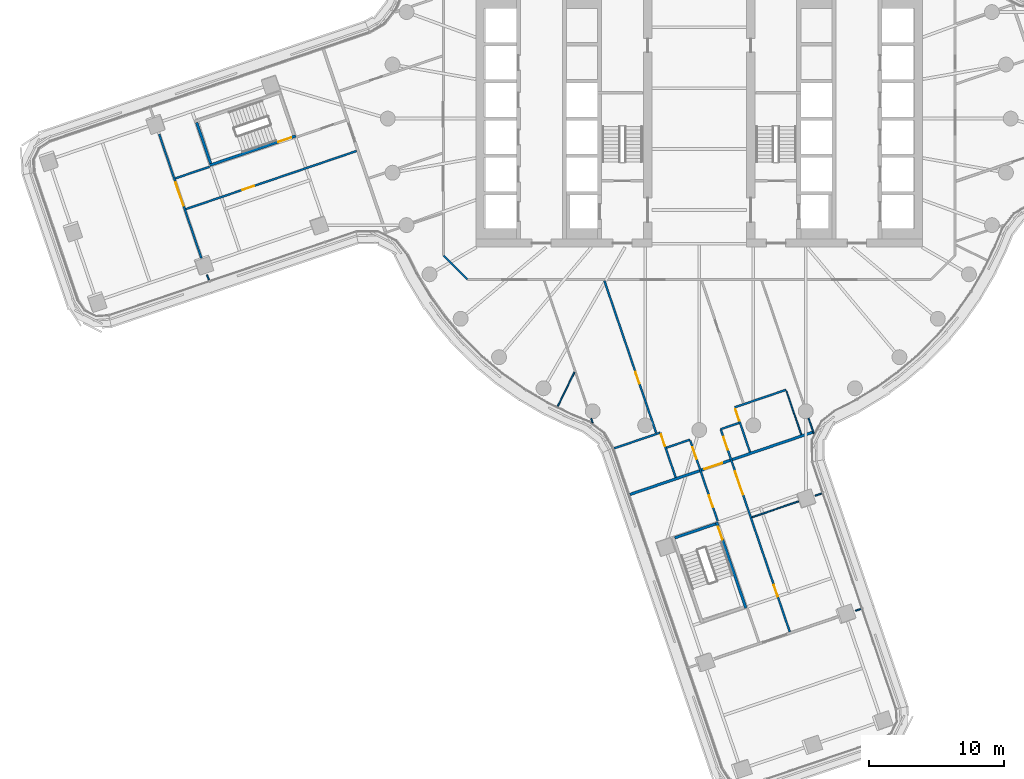
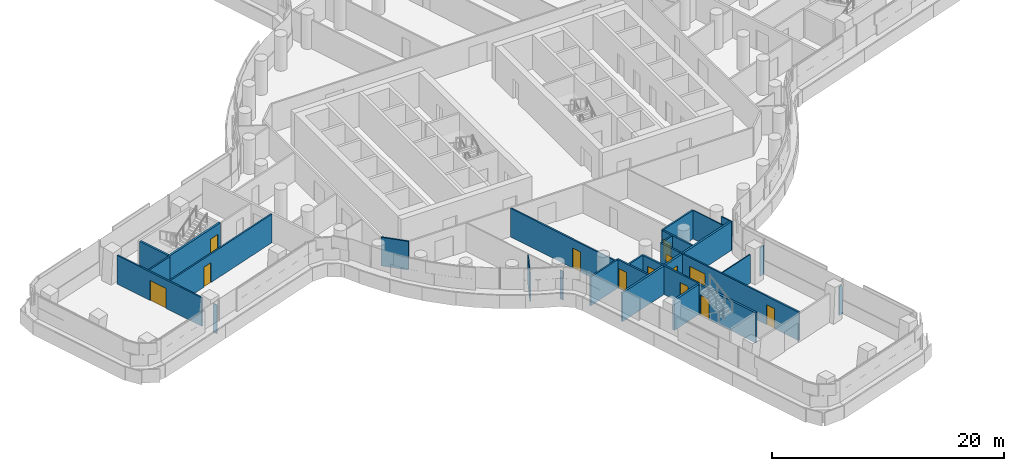
# One storey, part 17 of 29: 26 walls, 13 doors, 13 openings.
"""IFC4 building model written with IfcOpenShell, lengths in metres."""

from ifc_helpers import new_model, si_unit, direction, frame, frame_2d, origin, place, context, subcontext, project, spatial, polyline, rectangle, outline, extrude, material, layer, layer_set, type_object, element, fill, save


model = new_model("IFC4")

# Units and contexts
model_context = context("Model", 3, precision=1e-05, world=origin(), true_north=direction((0.0, 1.0)))
body_context = subcontext(model_context, "Body", "Model", "MODEL_VIEW")
ifc_project = project(units=[si_unit("LENGTHUNIT", "METRE"), si_unit("AREAUNIT", "SQUARE_METRE"), si_unit("VOLUMEUNIT", "CUBIC_METRE"), si_unit("PLANEANGLEUNIT", "RADIAN"), si_unit("MASSUNIT", "GRAM", prefix="KILO")], contexts=[model_context])

# Site, building, storey
site_placement = place(None, origin())
site = spatial("IfcSite", under=ifc_project, at=site_placement, CompositionType="ELEMENT")
building_placement = place(site_placement, origin())
building = spatial("IfcBuilding", under=site, at=building_placement, Name="Tamarind Cross Interchange Tower", CompositionType="ELEMENT")
storey_placement = place(building_placement, frame((0.0, 0.0, 102.25)))
storey = spatial("IfcBuildingStorey", under=building, at=storey_placement, Name="L24", CompositionType="ELEMENT", Elevation=102.25)

# Walls
ifc_material_1 = material(Name="Gypsum board partition on steel studs", Category="steel")
ifc_layer_1 = layer(ifc_material_1, 0.10009765625)
ifc_layer_set_1 = layer_set([ifc_layer_1], Name="Gypsum board partition on steel studs")
wall_type_1 = type_object("IfcWallType", Name="Partition 100 mm EI 90", PredefinedType="PARTITIONING", material=ifc_layer_set_1)
wall_1_placement = place(storey_placement, frame((-36.3447265625, -11.54296875, 0.0), z_axis=(0.0, 0.0, 1.0), x_axis=(0.322320807151, -0.946630496697, 0.0)))
element("IfcWall", 1, at=wall_1_placement, inside=storey, type_object=wall_type_1, Name="Partition L24-003", PredefinedType="PARTITIONING", context=body_context, shape_type="SweptSolid", body=[
    extrude(rectangle(XDim=0.408203125, YDim=0.10009765625, at=frame_2d((0.2041015625, 0.0))), origin(), (0.0, 0.0, 1.0), 3.010009765625),
])
wall_2_placement = place(storey_placement, frame((-7.9794921875, -22.142578125, 0.0), z_axis=(0.0, 0.0, 1.0), x_axis=(0.322833185495, -0.946455880822, 0.0)))
element("IfcWall", 2, at=wall_2_placement, inside=storey, type_object=wall_type_1, Name="Partition L24-006", PredefinedType="PARTITIONING", context=body_context, shape_type="SweptSolid", body=[
    extrude(rectangle(XDim=0.34326171875, YDim=0.10009765625, at=frame_2d((0.171630859375, 0.0))), origin(), (0.0, 0.0, 1.0), 3.010009765625),
])
wall_3_placement = place(storey_placement, frame((8.06884765625, -22.11865234375, 0.0), z_axis=(0.0, 0.0, 1.0), x_axis=(0.322430157515, -0.946593256644, 0.0)))
element("IfcWall", 3, at=wall_3_placement, inside=storey, type_object=wall_type_1, Name="Partition L24-023", PredefinedType="PARTITIONING", context=body_context, shape_type="SweptSolid", body=[
    extrude(rectangle(XDim=1.203125, YDim=0.10009765625, at=frame_2d((0.6015625, 0.0))), origin(), (0.0, 0.0, 1.0), 3.010009765625),
])
wall_4_placement = place(storey_placement, frame((6.43115234375, -20.10009765625, 0.0), z_axis=(0.0, 0.0, 1.0), x_axis=(0.322273311912, -0.946646667152, 0.0)))
element("IfcWall", 4, at=wall_4_placement, inside=storey, type_object=wall_type_1, Name="Partition L24-024", PredefinedType="PARTITIONING", context=body_context, shape_type="SweptSolid", body=[
    extrude(rectangle(XDim=3.4248046875, YDim=0.10009765625, at=frame_2d((1.71240234375, 0.0))), origin(), (0.0, 0.0, 1.0), 3.010009765625),
])
wall_5_placement = place(storey_placement, frame((11.54296875, -36.3447265625, 0.0), z_axis=(0.0, 0.0, 1.0), x_axis=(0.946630496697, 0.322320807151, 0.0)))
element("IfcWall", 5, at=wall_5_placement, inside=storey, type_object=wall_type_1, Name="Partition L24-064", PredefinedType="PARTITIONING", context=body_context, shape_type="SweptSolid", body=[
    extrude(rectangle(XDim=0.408203125, YDim=0.10009765625, at=frame_2d((0.2041015625, 0.0))), origin(), (0.0, 0.0, 1.0), 3.010009765625),
])
wall_6_placement = place(storey_placement, frame((3.8876953125, -29.444091796875, 0.0), z_axis=(0.0, 0.0, 1.0), x_axis=(0.94663990036, 0.322293188023, 0.0)))
element("IfcWall", 6, at=wall_6_placement, inside=storey, type_object=wall_type_1, Name="Partition L24-065", PredefinedType="PARTITIONING", context=body_context, shape_type="SweptSolid", body=[
    extrude(rectangle(XDim=3.642822265625, YDim=0.10009765625, at=frame_2d((1.8212890625, 0.0))), origin(), (0.0, 0.0, 1.0), 3.010009765625),
])
wall_7_placement = place(storey_placement, frame((8.564208984375, -27.851806640625, 0.0), z_axis=(0.0, 0.0, 1.0), x_axis=(0.946627880755, 0.322328489863, 0.0)))
element("IfcWall", 7, at=wall_7_placement, inside=storey, type_object=wall_type_1, Name="Partition L24-066", PredefinedType="PARTITIONING", context=body_context, shape_type="SweptSolid", body=[
    extrude(rectangle(XDim=0.503662109375, YDim=0.10009765625, at=frame_2d((0.251953125, 0.0))), origin(), (0.0, 0.0, 1.0), 3.010009765625),
])
wall_8_placement = place(storey_placement, frame((-10.450439453125, -21.24365234375, 0.0), z_axis=(0.0, 0.0, 1.0), x_axis=(0.441584599152, 0.897219617369, 0.0)))
element("IfcWall", 8, at=wall_8_placement, inside=storey, type_object=wall_type_1, Name="Partition L24-079", PredefinedType="PARTITIONING", context=body_context, shape_type="SweptSolid", body=[
    extrude(rectangle(XDim=2.797607421875, YDim=0.10009765625, at=frame_2d((1.39892578125, 0.0))), origin(), (0.0, 0.0, 1.0), 3.010009765625),
])

# Wall, opening, door
ifc_layer_2 = layer(ifc_material_1, 0.14990234375)
ifc_layer_set_2 = layer_set([ifc_layer_2], Name="Gypsum board partition on steel studs")
wall_type_2 = type_object("IfcWallType", Name="Partition 150 mm EI 120", PredefinedType="PARTITIONING", material=ifc_layer_set_2)
wall_9_placement = place(storey_placement, frame((-39.88818359375, -1.137451171875, 0.0), z_axis=(0.0, 0.0, 1.0), x_axis=(0.322347819852, -0.946621298639, 0.0)))
wall_9 = element("IfcWall", 9, at=wall_9_placement, inside=storey, type_object=wall_type_2, Name="Partition L24-002", PredefinedType="PARTITIONING", context=body_context, shape_type="SweptSolid", body=[
    extrude(rectangle(XDim=9.6953125, YDim=0.14990234375, at=frame_2d((4.84765625, 0.0))), origin(), (0.0, 0.0, 1.0), 3.010009765625),
])
opening_1_placement = place(wall_9_placement, frame((3.7900390625, 0.0, 0.0)))
opening_1 = element("IfcOpeningElement", 10, at=opening_1_placement, cuts=wall_9, Name="Opening D01", PredefinedType="OPENING", context=body_context, shape_type="SweptSolid", body=[
    extrude(rectangle(XDim=1.800048828125, YDim=2.10009765625, at=frame_2d((0.89990234375, 1.050048828125))), frame((0.0, 0.0849609375, 0.0), z_axis=(0.0, -1.0, 0.0), x_axis=(1.0, 0.0, 0.0)), (0.0, 0.0, 1.0), 0.169921875),
])
ifc_material_2 = material(Name="Fire-resisting door set")
door_type_1 = type_object("IfcDoorType", Name="Interior door 1800 x 2100 FD60S", OperationType="DOUBLE_DOOR_SINGLE_SWING", PredefinedType="DOOR", material=ifc_material_2)
door_1_placement = place(opening_1_placement, origin())
door_1 = element("IfcDoor", 11, at=door_1_placement, inside=storey, type_object=door_type_1, Name="Door D01", OperationType="DOUBLE_DOOR_SINGLE_SWING", OverallHeight=2.10009765625, OverallWidth=1.800048828125, PredefinedType="DOOR", context=body_context, shape_type="SweptSolid", body=[
    extrude(rectangle(XDim=1.800048828125, YDim=2.10009765625, at=frame_2d((0.89990234375, 1.050048828125))), frame((0.0, 0.02490234375, 0.0), z_axis=(0.0, -1.0, 0.0), x_axis=(1.0, 0.0, 0.0)), (0.0, 0.0, 1.0), 0.050048828125),
])
fill(opening_1, door_1)

wall_10_placement = place(storey_placement, frame((-7.003662109375, -11.98046875, 0.0), z_axis=(0.0, 0.0, 1.0), x_axis=(0.322345808009, -0.946621983718, 0.0)))
wall_10 = element("IfcWall", 12, at=wall_10_placement, inside=storey, type_object=wall_type_2, Name="Partition L24-010", PredefinedType="PARTITIONING", context=body_context, shape_type="SweptSolid", body=[
    extrude(rectangle(XDim=11.863037109375, YDim=0.14990234375, at=frame_2d((5.931640625, 0.0))), origin(), (0.0, 0.0, 1.0), 3.010009765625),
])
opening_2_placement = place(wall_10_placement, frame((7.114990234375, 0.0, 0.0)))
opening_2 = element("IfcOpeningElement", 13, at=opening_2_placement, cuts=wall_10, Name="Opening D07", PredefinedType="OPENING", context=body_context, shape_type="SweptSolid", body=[
    extrude(rectangle(XDim=0.89990234375, YDim=2.10009765625, at=frame_2d((0.449951171875, 1.050048828125))), frame((0.0, 0.0849609375, 0.0), z_axis=(0.0, -1.0, 0.0), x_axis=(1.0, 0.0, 0.0)), (0.0, 0.0, 1.0), 0.169921875),
])
door_type_2 = type_object("IfcDoorType", Name="Interior door 900 x 2100 FD60S", OperationType="SINGLE_SWING_LEFT", PredefinedType="DOOR", material=ifc_material_2)
door_2_placement = place(opening_2_placement, frame((0.89990234375, 0.0, 0.0), z_axis=(0.0, 0.0, 1.0), x_axis=(-1.0, 0.0, 0.0)))
door_2 = element("IfcDoor", 14, at=door_2_placement, inside=storey, type_object=door_type_2, Name="Door D07", OperationType="SINGLE_SWING_RIGHT", OverallHeight=2.10009765625, OverallWidth=0.89990234375, PredefinedType="DOOR", context=body_context, shape_type="SweptSolid", body=[
    extrude(rectangle(XDim=0.89990234375, YDim=2.10009765625, at=frame_2d((0.449951171875, 1.050048828125))), frame((0.0, 0.02490234375, 0.0), z_axis=(0.0, -1.0, 0.0), x_axis=(1.0, 0.0, 0.0)), (0.0, 0.0, 1.0), 0.050048828125),
])
fill(opening_2, door_2)

wall_11_placement = place(storey_placement, frame((-2.863525390625, -23.2080078125, 0.0), z_axis=(0.0, 0.0, 1.0), x_axis=(0.322578199408, -0.94654281745, 0.0)))
wall_11 = element("IfcWall", 15, at=wall_11_placement, inside=storey, type_object=wall_type_2, Name="Partition L24-015", PredefinedType="PARTITIONING", context=body_context, shape_type="SweptSolid", body=[
    extrude(rectangle(XDim=3.479248046875, YDim=0.14990234375, at=frame_2d((1.73974609375, 0.0))), origin(), (0.0, 0.0, 1.0), 3.010009765625),
])
opening_3_placement = place(wall_11_placement, frame((0.1298828125, 0.0, 0.0)))
opening_3 = element("IfcOpeningElement", 16, at=opening_3_placement, cuts=wall_11, Name="Opening D11", PredefinedType="OPENING", context=body_context, shape_type="SweptSolid", body=[
    extrude(rectangle(XDim=0.89990234375, YDim=2.10009765625, at=frame_2d((0.449951171875, 1.050048828125))), frame((0.0, 0.0849609375, 0.0), z_axis=(0.0, -1.0, 0.0), x_axis=(1.0, 0.0, 0.0)), (0.0, 0.0, 1.0), 0.169921875),
])
door_3_placement = place(opening_3_placement, frame((0.89990234375, 0.0, 0.0), z_axis=(0.0, 0.0, 1.0), x_axis=(-1.0, 0.0, 0.0)))
door_3 = element("IfcDoor", 17, at=door_3_placement, inside=storey, type_object=door_type_2, Name="Door D11", OperationType="SINGLE_SWING_LEFT", OverallHeight=2.10009765625, OverallWidth=0.89990234375, PredefinedType="DOOR", context=body_context, shape_type="SweptSolid", body=[
    extrude(rectangle(XDim=0.89990234375, YDim=2.10009765625, at=frame_2d((0.449951171875, 1.050048828125))), frame((0.0, 0.02490234375, 0.0), z_axis=(0.0, -1.0, 0.0), x_axis=(1.0, 0.0, 0.0)), (0.0, 0.0, 1.0), 0.050048828125),
])
fill(opening_3, door_3)

# Wall, openings, doors
wall_12_placement = place(storey_placement, frame((-0.660888671875, -23.782958984375, 0.0), z_axis=(0.0, 0.0, 1.0), x_axis=(0.322467480077, -0.946580542951, 0.0)))
wall_12 = element("IfcWall", 18, at=wall_12_placement, inside=storey, type_object=wall_type_2, Name="Partition L24-016", PredefinedType="PARTITIONING", context=body_context, shape_type="SweptSolid", body=[
    extrude(rectangle(XDim=6.28466796875, YDim=0.14990234375, at=frame_2d((3.142333984375, 0.0))), origin(), (0.0, 0.0, 1.0), 3.010009765625),
])
opening_4_placement = place(wall_12_placement, frame((0.52490234375, 0.0, 0.0)))
opening_4 = element("IfcOpeningElement", 19, at=opening_4_placement, cuts=wall_12, Name="Opening D12", PredefinedType="OPENING", context=body_context, shape_type="SweptSolid", body=[
    extrude(rectangle(XDim=0.89990234375, YDim=2.10009765625, at=frame_2d((0.449951171875, 1.050048828125))), frame((0.0, 0.0849609375, 0.0), z_axis=(0.0, -1.0, 0.0), x_axis=(1.0, 0.0, 0.0)), (0.0, 0.0, 1.0), 0.169921875),
])
opening_5_placement = place(wall_12_placement, frame((4.275146484375, 0.0, 0.0)))
opening_5 = element("IfcOpeningElement", 20, at=opening_5_placement, cuts=wall_12, Name="Opening D13", PredefinedType="OPENING", context=body_context, shape_type="SweptSolid", body=[
    extrude(rectangle(XDim=0.89990234375, YDim=2.10009765625, at=frame_2d((0.449951171875, 1.050048828125))), frame((0.0, 0.0849609375, 0.0), z_axis=(0.0, -1.0, 0.0), x_axis=(1.0, 0.0, 0.0)), (0.0, 0.0, 1.0), 0.169921875),
])
door_4_placement = place(opening_4_placement, frame((0.89990234375, 0.0, 0.0), z_axis=(0.0, 0.0, 1.0), x_axis=(-1.0, 0.0, 0.0)))
door_4 = element("IfcDoor", 21, at=door_4_placement, inside=storey, type_object=door_type_2, Name="Door D12", OperationType="SINGLE_SWING_LEFT", OverallHeight=2.10009765625, OverallWidth=0.89990234375, PredefinedType="DOOR", context=body_context, shape_type="SweptSolid", body=[
    extrude(rectangle(XDim=0.89990234375, YDim=2.10009765625, at=frame_2d((0.449951171875, 1.050048828125))), frame((0.0, 0.02490234375, 0.0), z_axis=(0.0, -1.0, 0.0), x_axis=(1.0, 0.0, 0.0)), (0.0, 0.0, 1.0), 0.050048828125),
])
fill(opening_4, door_4)
door_5_placement = place(opening_5_placement, frame((0.89990234375, 0.0, 0.0), z_axis=(0.0, 0.0, 1.0), x_axis=(-1.0, 0.0, 0.0)))
door_5 = element("IfcDoor", 22, at=door_5_placement, inside=storey, type_object=door_type_2, Name="Door D13", OperationType="SINGLE_SWING_RIGHT", OverallHeight=2.10009765625, OverallWidth=0.89990234375, PredefinedType="DOOR", context=body_context, shape_type="SweptSolid", body=[
    extrude(rectangle(XDim=0.89990234375, YDim=2.10009765625, at=frame_2d((0.449951171875, 1.050048828125))), frame((0.0, 0.02490234375, 0.0), z_axis=(0.0, -1.0, 0.0), x_axis=(1.0, 0.0, 0.0)), (0.0, 0.0, 1.0), 0.050048828125),
])
fill(opening_5, door_5)

wall_13_placement = place(storey_placement, frame((1.593505859375, -22.956787109375, 0.0), z_axis=(0.0, 0.0, 1.0), x_axis=(0.322459995199, -0.946583092759, 0.0)))
wall_13 = element("IfcWall", 23, at=wall_13_placement, inside=storey, type_object=wall_type_2, Name="Partition L24-019", PredefinedType="PARTITIONING", context=body_context, shape_type="SweptSolid", body=[
    extrude(rectangle(XDim=15.801025390625, YDim=0.14990234375, at=frame_2d((7.900390625, 0.0))), origin(), (0.0, 0.0, 1.0), 3.010009765625),
])
opening_6_placement = place(wall_13_placement, frame((0.580078125, 0.0, 0.0)))
opening_6 = element("IfcOpeningElement", 24, at=opening_6_placement, cuts=wall_13, Name="Opening D15", PredefinedType="OPENING", context=body_context, shape_type="SweptSolid", body=[
    extrude(rectangle(XDim=1.0, YDim=2.10009765625, at=frame_2d((0.5, 1.050048828125))), frame((0.0, 0.0849609375, 0.0), z_axis=(0.0, -1.0, 0.0), x_axis=(1.0, 0.0, 0.0)), (0.0, 0.0, 1.0), 0.169921875),
])
opening_7_placement = place(wall_13_placement, frame((12.130615234375, 0.0, 0.0)))
opening_7 = element("IfcOpeningElement", 25, at=opening_7_placement, cuts=wall_13, Name="Opening D16", PredefinedType="OPENING", context=body_context, shape_type="SweptSolid", body=[
    extrude(rectangle(XDim=0.89990234375, YDim=2.10009765625, at=frame_2d((0.449951171875, 1.050048828125))), frame((0.0, 0.0849609375, 0.0), z_axis=(0.0, -1.0, 0.0), x_axis=(1.0, 0.0, 0.0)), (0.0, 0.0, 1.0), 0.169921875),
])
opening_8_placement = place(wall_13_placement, frame((3.2802734375, 0.0, 0.0)))
opening_8 = element("IfcOpeningElement", 26, at=opening_8_placement, cuts=wall_13, Name="Opening D17", PredefinedType="OPENING", context=body_context, shape_type="SweptSolid", body=[
    extrude(rectangle(XDim=1.800048828125, YDim=2.10009765625, at=frame_2d((0.89990234375, 1.050048828125))), frame((0.0, 0.0849609375, 0.0), z_axis=(0.0, -1.0, 0.0), x_axis=(1.0, 0.0, 0.0)), (0.0, 0.0, 1.0), 0.169921875),
])
door_type_3 = type_object("IfcDoorType", Name="Interior door 1000 x 2100 FD60S", OperationType="SINGLE_SWING_LEFT", PredefinedType="DOOR", material=ifc_material_2)
door_6_placement = place(opening_6_placement, origin())
door_6 = element("IfcDoor", 27, at=door_6_placement, inside=storey, type_object=door_type_3, Name="Door D15", OperationType="SINGLE_SWING_RIGHT", OverallHeight=2.10009765625, OverallWidth=1.0, PredefinedType="DOOR", context=body_context, shape_type="SweptSolid", body=[
    extrude(rectangle(XDim=1.0, YDim=2.10009765625, at=frame_2d((0.5, 1.050048828125))), frame((0.0, 0.02490234375, 0.0), z_axis=(0.0, -1.0, 0.0), x_axis=(1.0, 0.0, 0.0)), (0.0, 0.0, 1.0), 0.050048828125),
])
fill(opening_6, door_6)
door_7_placement = place(opening_8_placement, origin())
door_7 = element("IfcDoor", 28, at=door_7_placement, inside=storey, type_object=door_type_1, Name="Door D17", OperationType="DOUBLE_DOOR_SINGLE_SWING", OverallHeight=2.10009765625, OverallWidth=1.800048828125, PredefinedType="DOOR", context=body_context, shape_type="SweptSolid", body=[
    extrude(rectangle(XDim=1.800048828125, YDim=2.10009765625, at=frame_2d((0.89990234375, 1.050048828125))), frame((0.0, 0.02490234375, 0.0), z_axis=(0.0, -1.0, 0.0), x_axis=(1.0, 0.0, 0.0)), (0.0, 0.0, 1.0), 0.050048828125),
])
fill(opening_8, door_7)
door_8_placement = place(opening_7_placement, origin())
door_8 = element("IfcDoor", 29, at=door_8_placement, inside=storey, type_object=door_type_2, Name="Door D16", OperationType="SINGLE_SWING_LEFT", OverallHeight=2.10009765625, OverallWidth=0.89990234375, PredefinedType="DOOR", context=body_context, shape_type="SweptSolid", body=[
    extrude(rectangle(XDim=0.89990234375, YDim=2.10009765625, at=frame_2d((0.449951171875, 1.050048828125))), frame((0.0, 0.02490234375, 0.0), z_axis=(0.0, -1.0, 0.0), x_axis=(1.0, 0.0, 0.0)), (0.0, 0.0, 1.0), 0.050048828125),
])
fill(opening_7, door_8)

# Wall, opening, door
wall_14_placement = place(storey_placement, frame((2.645751953125, -21.394775390625, 0.0), z_axis=(0.0, 0.0, 1.0), x_axis=(0.322461421238, -0.946582606967, 0.0)))
wall_14 = element("IfcWall", 30, at=wall_14_placement, inside=storey, type_object=wall_type_2, Name="Partition L24-021", PredefinedType="PARTITIONING", context=body_context, shape_type="SweptSolid", body=[
    extrude(rectangle(XDim=3.415283203125, YDim=0.14990234375, at=frame_2d((1.70751953125, 0.0))), origin(), (0.0, 0.0, 1.0), 3.010009765625),
])
opening_9_placement = place(wall_14_placement, frame((0.070068359375, 0.0, 0.0)))
opening_9 = element("IfcOpeningElement", 31, at=opening_9_placement, cuts=wall_14, Name="Opening D19", PredefinedType="OPENING", context=body_context, shape_type="SweptSolid", body=[
    extrude(rectangle(XDim=0.89990234375, YDim=2.10009765625, at=frame_2d((0.449951171875, 1.050048828125))), frame((0.0, 0.0849609375, 0.0), z_axis=(0.0, -1.0, 0.0), x_axis=(1.0, 0.0, 0.0)), (0.0, 0.0, 1.0), 0.169921875),
])
door_9_placement = place(opening_9_placement, origin())
door_9 = element("IfcDoor", 32, at=door_9_placement, inside=storey, type_object=door_type_2, Name="Door D19", OperationType="SINGLE_SWING_RIGHT", OverallHeight=2.10009765625, OverallWidth=0.89990234375, PredefinedType="DOOR", context=body_context, shape_type="SweptSolid", body=[
    extrude(rectangle(XDim=0.89990234375, YDim=2.10009765625, at=frame_2d((0.449951171875, 1.050048828125))), frame((0.0, 0.02490234375, 0.0), z_axis=(0.0, -1.0, 0.0), x_axis=(1.0, 0.0, 0.0)), (0.0, 0.0, 1.0), 0.050048828125),
])
fill(opening_9, door_9)

# Walls
wall_15_placement = place(storey_placement, frame((-18.87158203125, -10.12841796875, 0.0), z_axis=(0.0, 0.0, 1.0), x_axis=(0.707106781187, -0.707106781187, 0.0)))
element("IfcWall", 33, at=wall_15_placement, inside=storey, type_object=wall_type_2, Name="Partition L24-031", PredefinedType="PARTITIONING", context=body_context, shape_type="SweptSolid", body=[
    extrude(rectangle(XDim=2.465087890625, YDim=0.14990234375, at=frame_2d((1.232421875, 0.0))), origin(), (0.0, 0.0, 1.0), 3.010009765625),
])
wall_16_placement = place(storey_placement, frame((-38.69189453125, -4.416748046875, 0.0), z_axis=(0.0, 0.0, 1.0), x_axis=(0.946626289249, 0.322333163826, 0.0)))
element("IfcWall", 34, at=wall_16_placement, inside=storey, type_object=wall_type_2, Name="Partition L24-037", PredefinedType="PARTITIONING", context=body_context, shape_type="SweptSolid", body=[
    extrude(rectangle(XDim=2.684326171875, YDim=0.14990234375, at=frame_2d((1.34228515625, 0.0))), origin(), (0.0, 0.0, 1.0), 3.010009765625),
])

# Wall, opening, door
wall_17_placement = place(storey_placement, frame((-37.914306640625, -6.687255859375, 0.0), z_axis=(0.0, 0.0, 1.0), x_axis=(0.946617293071, 0.322359582545, 0.0)))
wall_17 = element("IfcWall", 35, at=wall_17_placement, inside=storey, type_object=wall_type_2, Name="Partition L24-039", PredefinedType="PARTITIONING", context=body_context, shape_type="SweptSolid", body=[
    extrude(rectangle(XDim=13.31591796875, YDim=0.14990234375, at=frame_2d((6.657958984375, 0.0))), origin(), (0.0, 0.0, 1.0), 3.010009765625),
])
opening_10_placement = place(wall_17_placement, frame((4.419921875, 0.0, 0.0)))
opening_10 = element("IfcOpeningElement", 36, at=opening_10_placement, cuts=wall_17, Name="Opening D29", PredefinedType="OPENING", context=body_context, shape_type="SweptSolid", body=[
    extrude(rectangle(XDim=0.89990234375, YDim=2.10009765625, at=frame_2d((0.449951171875, 1.050048828125))), frame((0.0, 0.0849609375, 0.0), z_axis=(0.0, -1.0, 0.0), x_axis=(1.0, 0.0, 0.0)), (0.0, 0.0, 1.0), 0.169921875),
])
door_10_placement = place(opening_10_placement, frame((0.89990234375, 0.0, 0.0), z_axis=(0.0, 0.0, 1.0), x_axis=(-1.0, 0.0, 0.0)))
door_10 = element("IfcDoor", 37, at=door_10_placement, inside=storey, type_object=door_type_2, Name="Door D29", OperationType="SINGLE_SWING_LEFT", OverallHeight=2.10009765625, OverallWidth=0.89990234375, PredefinedType="DOOR", context=body_context, shape_type="SweptSolid", body=[
    extrude(rectangle(XDim=0.89990234375, YDim=2.10009765625, at=frame_2d((0.449951171875, 1.050048828125))), frame((0.0, 0.02490234375, 0.0), z_axis=(0.0, -1.0, 0.0), x_axis=(1.0, 0.0, 0.0)), (0.0, 0.0, 1.0), 0.050048828125),
])
fill(opening_10, door_10)

# Walls
wall_18_placement = place(storey_placement, frame((-6.277099609375, -24.3486328125, 0.0), z_axis=(0.0, 0.0, 1.0), x_axis=(0.946663114863, 0.32222499431, 0.0)))
element("IfcWall", 38, at=wall_18_placement, inside=storey, type_object=wall_type_2, Name="Partition L24-057", PredefinedType="PARTITIONING", context=body_context, shape_type="SweptSolid", body=[
    extrude(rectangle(XDim=3.598876953125, YDim=0.14990234375, at=frame_2d((1.79931640625, 0.0))), origin(), (0.0, 0.0, 1.0), 3.010009765625),
])
wall_19_placement = place(storey_placement, frame((2.620361328125, -21.3203125, 0.0), z_axis=(0.0, 0.0, 1.0), x_axis=(0.946650302142, 0.322262634282, 0.0)))
element("IfcWall", 39, at=wall_19_placement, inside=storey, type_object=wall_type_2, Name="Partition L24-058", PredefinedType="PARTITIONING", context=body_context, shape_type="SweptSolid", body=[
    extrude(rectangle(XDim=4.000732421875, YDim=0.14990234375, at=frame_2d((2.00048828125, 0.0))), origin(), (0.0, 0.0, 1.0), 3.010009765625),
])
wall_20_placement = place(storey_placement, frame((-2.4072265625, -24.29931640625, 0.0), z_axis=(0.0, 0.0, 1.0), x_axis=(0.946459884902, 0.322821446424, 0.0)))
element("IfcWall", 40, at=wall_20_placement, inside=storey, type_object=wall_type_2, Name="Partition L24-060", PredefinedType="PARTITIONING", context=body_context, shape_type="SweptSolid", body=[
    extrude(rectangle(XDim=1.819580078125, YDim=0.14990234375, at=frame_2d((0.90966796875, 0.0))), origin(), (0.0, 0.0, 1.0), 3.010009765625),
])
wall_21_placement = place(storey_placement, frame((1.5869140625, -22.9375, 0.0), z_axis=(0.0, 0.0, 1.0), x_axis=(0.946519702628, 0.322646017388, 0.0)))
element("IfcWall", 41, at=wall_21_placement, inside=storey, type_object=wall_type_2, Name="Partition L24-061", PredefinedType="PARTITIONING", context=body_context, shape_type="SweptSolid", body=[
    extrude(rectangle(XDim=1.4248046875, YDim=0.14990234375, at=frame_2d((0.71240234375, 0.0))), origin(), (0.0, 0.0, 1.0), 3.010009765625),
])

# Wall, opening, door
ifc_layer_3 = layer(ifc_material_1, 0.199951171875)
ifc_layer_set_3 = layer_set([ifc_layer_3], Name="Gypsum board partition on steel studs")
wall_type_3 = type_object("IfcWallType", Name="Partition 200 mm EI 180", PredefinedType="PARTITIONING", material=ifc_layer_set_3)
wall_22_placement = place(storey_placement, frame((-5.1162109375, -27.7568359375, 0.0), z_axis=(0.0, 0.0, 1.0), x_axis=(0.946603630107, 0.32239970141, 0.0)))
wall_22 = element("IfcWall", 42, at=wall_22_placement, inside=storey, type_object=wall_type_3, Name="Partition L24-059", PredefinedType="PARTITIONING", context=body_context, shape_type="SweptSolid", body=[
    extrude(rectangle(XDim=14.24853515625, YDim=0.199951171875, at=frame_2d((7.124267578125, 0.0))), origin(), (0.0, 0.0, 1.0), 3.010009765625),
])
opening_11_placement = place(wall_22_placement, frame((5.798828125, 0.0, 0.0)))
opening_11 = element("IfcOpeningElement", 43, at=opening_11_placement, cuts=wall_22, Name="Opening D34", PredefinedType="OPENING", context=body_context, shape_type="SweptSolid", body=[
    extrude(rectangle(XDim=1.39990234375, YDim=2.10009765625, at=frame_2d((0.699951171875, 1.050048828125))), frame((0.0, 0.10986328125, 0.0), z_axis=(0.0, -1.0, 0.0), x_axis=(1.0, 0.0, 0.0)), (0.0, 0.0, 1.0), 0.219970703125),
])
door_type_4 = type_object("IfcDoorType", Name="Interior door 1400 x 2100 FD120S", OperationType="DOUBLE_DOOR_SINGLE_SWING", PredefinedType="DOOR", material=ifc_material_2)
door_11_placement = place(opening_11_placement, origin())
door_11 = element("IfcDoor", 44, at=door_11_placement, inside=storey, type_object=door_type_4, Name="Door D34", OperationType="DOUBLE_DOOR_SINGLE_SWING", OverallHeight=2.10009765625, OverallWidth=1.39990234375, PredefinedType="DOOR", context=body_context, shape_type="SweptSolid", body=[
    extrude(rectangle(XDim=1.39990234375, YDim=2.10009765625, at=frame_2d((0.699951171875, 1.050048828125))), frame((0.0, 0.02490234375, 0.0), z_axis=(0.0, -1.0, 0.0), x_axis=(1.0, 0.0, 0.0)), (0.0, 0.0, 1.0), 0.050048828125),
])
fill(opening_11, door_11)

ifc_material_3 = material(Name="Concrete C40", Category="concrete")
ifc_layer_4 = layer(ifc_material_3, 0.199951171875)
ifc_layer_set_4 = layer_set([ifc_layer_4], Name="Concrete C40")
wall_type_4 = type_object("IfcWallType", Name="Stair shaft wall 200 mm Concrete C40", PredefinedType="SHEAR", material=ifc_layer_set_4)
wall_23_placement = place(storey_placement, frame((-29.802734375, -1.283935546875, -0.139892578125), z_axis=(0.0, 0.0, 1.0), x_axis=(-0.946611819599, -0.322375655092, 0.0)))
wall_23 = element("IfcWall", 45, at=wall_23_placement, inside=storey, type_object=wall_type_4, Name="Core wall CWL-L24-ST5-H", PredefinedType="SHEAR", context=body_context, shape_type="SweptSolid", body=[
    extrude(rectangle(XDim=6.699951171875, YDim=0.199951171875, at=frame_2d((3.35009765625, 0.0))), origin(), (0.0, 0.0, 1.0), 3.14990234375),
])
opening_12_placement = place(wall_23_placement, frame((0.35009765625, 0.0, 0.0)))
opening_12 = element("IfcOpeningElement", 46, at=opening_12_placement, cuts=wall_23, Name="Opening ST5L24", PredefinedType="OPENING", context=body_context, shape_type="SweptSolid", body=[
    extrude(rectangle(XDim=1.0, YDim=2.10009765625, at=frame_2d((0.5, 1.050048828125))), frame((0.0, 0.10986328125, 0.0), z_axis=(0.0, -1.0, 0.0), x_axis=(1.0, 0.0, 0.0)), (0.0, 0.0, 1.0), 0.219970703125),
])
ifc_material_4 = material(Name="Steel, fire-resisting", Category="steel")
door_type_5 = type_object("IfcDoorType", Name="Core fire door 1000 x 2100 FD90", OperationType="SINGLE_SWING_LEFT", PredefinedType="DOOR", material=ifc_material_4)
door_12_placement = place(opening_12_placement, origin())
door_12 = element("IfcDoor", 47, at=door_12_placement, inside=storey, type_object=door_type_5, Name="L24 stair door ST5", OperationType="SINGLE_SWING_LEFT", OverallHeight=2.10009765625, OverallWidth=1.0, PredefinedType="DOOR", context=body_context, shape_type="SweptSolid", body=[
    extrude(rectangle(XDim=1.0, YDim=2.10009765625, at=frame_2d((0.5, 1.050048828125))), frame((0.0, 0.02490234375, 0.0), z_axis=(0.0, -1.0, 0.0), x_axis=(1.0, 0.0, 0.0)), (0.0, 0.0, 1.0), 0.050048828125),
])
fill(opening_12, door_12)

# Wall
wall_24_placement = place(storey_placement, frame((0.0, 0.0, -0.139892578125)))
element("IfcWall", 48, at=wall_24_placement, inside=storey, type_object=wall_type_4, Name="Core wall CWL-L24-ST5-CF", PredefinedType="SHEAR", context=body_context, shape_type="SweptSolid", body=[
    extrude(outline(polyline([(-37.01953125, -0.255615234375), (-37.208740234375, -0.320068359375), (-36.17724609375, -3.34912109375), (-35.98779296875, -3.28466796875), (-37.01953125, -0.255615234375)])), origin(), (0.0, 0.0, 1.0), 3.14990234375),
])

# Wall, opening, door
wall_25_placement = place(storey_placement, frame((1.283935546875, -29.802734375, -0.139892578125), z_axis=(0.0, 0.0, 1.0), x_axis=(0.322375655092, -0.946611819599, 0.0)))
wall_25 = element("IfcWall", 49, at=wall_25_placement, inside=storey, type_object=wall_type_4, Name="Core wall CWL-L24-ST6-H", PredefinedType="SHEAR", context=body_context, shape_type="SweptSolid", body=[
    extrude(rectangle(XDim=6.699951171875, YDim=0.199951171875, at=frame_2d((3.35009765625, 0.0))), origin(), (0.0, 0.0, 1.0), 3.14990234375),
])
opening_13_placement = place(wall_25_placement, frame((0.35009765625, 0.0, 0.0)))
opening_13 = element("IfcOpeningElement", 50, at=opening_13_placement, cuts=wall_25, Name="Opening ST6L24", PredefinedType="OPENING", context=body_context, shape_type="SweptSolid", body=[
    extrude(rectangle(XDim=1.0, YDim=2.10009765625, at=frame_2d((0.5, 1.050048828125))), frame((0.0, 0.10986328125, 0.0), z_axis=(0.0, -1.0, 0.0), x_axis=(1.0, 0.0, 0.0)), (0.0, 0.0, 1.0), 0.219970703125),
])
door_13_placement = place(opening_13_placement, origin())
door_13 = element("IfcDoor", 51, at=door_13_placement, inside=storey, type_object=door_type_5, Name="L24 stair door ST6", OperationType="SINGLE_SWING_LEFT", OverallHeight=2.10009765625, OverallWidth=1.0, PredefinedType="DOOR", context=body_context, shape_type="SweptSolid", body=[
    extrude(rectangle(XDim=1.0, YDim=2.10009765625, at=frame_2d((0.5, 1.050048828125))), frame((0.0, 0.02490234375, 0.0), z_axis=(0.0, -1.0, 0.0), x_axis=(1.0, 0.0, 0.0)), (0.0, 0.0, 1.0), 0.050048828125),
])
fill(opening_13, door_13)

# Wall
wall_26_placement = place(storey_placement, frame((-1.8076171875, -30.961181640625, -0.139892578125), z_axis=(0.0, 0.0, 1.0), x_axis=(0.946618701807, 0.322355445727, 0.0)))
element("IfcWall", 52, at=wall_26_placement, inside=storey, type_object=wall_type_4, Name="Core wall CWL-L24-ST6-CE", PredefinedType="SHEAR", context=body_context, shape_type="SweptSolid", body=[
    extrude(rectangle(XDim=3.199951171875, YDim=0.199951171875, at=frame_2d((1.60009765625, 0.0))), origin(), (0.0, 0.0, 1.0), 3.14990234375),
])

save(model, "model.ifc")
